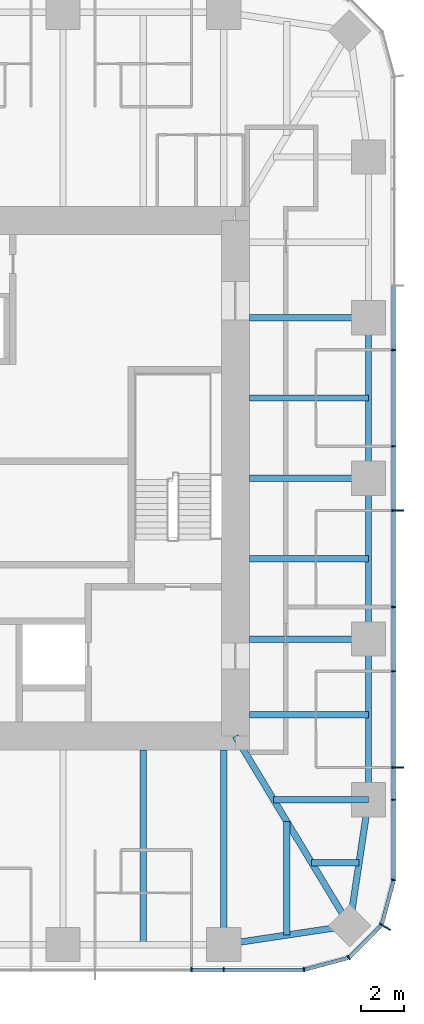
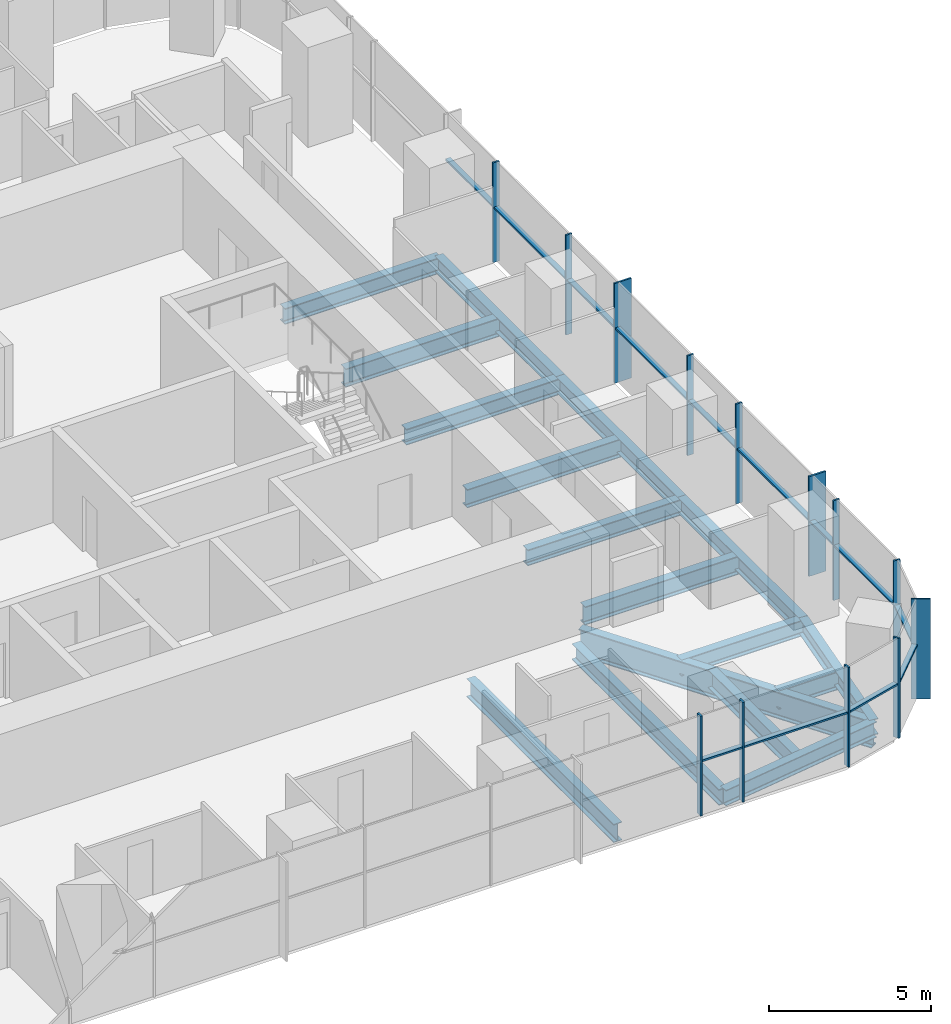
# One storey, part 4 of 13: 26 members, 17 beams, 3 elements without a shape of their own.
"""IFC4 building model written with IfcOpenShell, lengths in metres."""

from ifc_helpers import new_model, si_unit, direction, frame, origin, origin_2d, place, context, subcontext, project, spatial, rectangle, i_section, extrude, material, material_profile, profile_set, type_object, element, aggregate, save


model = new_model("IFC4")

# Units and contexts
model_context = context("Model", 3, precision=1e-05, world=origin(), true_north=direction((0.0, 1.0)))
body_context = subcontext(model_context, "Body", "Model", "MODEL_VIEW")
ifc_project = project(units=[si_unit("LENGTHUNIT", "METRE"), si_unit("AREAUNIT", "SQUARE_METRE"), si_unit("VOLUMEUNIT", "CUBIC_METRE"), si_unit("PLANEANGLEUNIT", "RADIAN"), si_unit("MASSUNIT", "GRAM", prefix="KILO")], contexts=[model_context])

# Site, building, storey
site_placement = place(None, origin())
site = spatial("IfcSite", under=ifc_project, at=site_placement, CompositionType="ELEMENT")
building_placement = place(site_placement, origin())
building = spatial("IfcBuilding", under=site, at=building_placement, Name="Khuree Lantern Residences", CompositionType="ELEMENT")
storey_placement = place(building_placement, frame((0.0, 0.0, 349.5)))
storey = spatial("IfcBuildingStorey", under=building, at=storey_placement, Name="L88", CompositionType="ELEMENT", Elevation=349.5)

# Beams
ifc_material_1 = material(Name="Steel S355", Category="steel")
ifc_material_profile_1 = material_profile(ifc_material_1, i_section(OverallWidth=0.300048828125, OverallDepth=0.68994140625, WebThickness=0.014404296875, FlangeThickness=0.027099609375, FilletRadius=0.027099609375, at=origin_2d()), Name="HE 700 A")
ifc_profile_set_1 = profile_set([ifc_material_profile_1], Name="Steel S355")
beam_type_1 = type_object("IfcBeamType", Name="B-45A SECONDARY BEAM HE 700 A", PredefinedType="BEAM", material=ifc_profile_set_1)
for number, where, z_axis, x_axis, name in (
    (1, (21.699951171875, 3.739990234375, -0.594970703125), (-1.0, 0.0, 0.0), (0.0, -1.0, 0.0), "Secondary beam E3"),
    (2, (21.699951171875, -3.739990234375, -0.594970703125), (-1.0, 0.0, 0.0), (0.0, -1.0, 0.0), "Secondary beam E4"),
    (3, (21.699951171875, -11.0, -0.594970703125), (-1.0, 0.0, 0.0), (0.0, -1.0, 0.0), "Secondary beam E5"),
):
    element("IfcBeam", number, at=place(storey_placement, frame(where, z_axis=z_axis, x_axis=x_axis)), inside=storey, type_object=beam_type_1, Name=name, PredefinedType="BEAM", context=body_context, shape_type="SweptSolid", body=[
        extrude(i_section(OverallWidth=0.300048828125, OverallDepth=0.68994140625, WebThickness=0.014404296875, FlangeThickness=0.027099609375, FilletRadius=0.027099609375, at=origin_2d()), origin(), (0.0, 0.0, 1.0), 5.550048828125),
    ])
beam_1_placement = place(storey_placement, frame((21.2607421875, -17.890625, -0.594970703125), z_axis=(-1.0, 0.0, 0.0), x_axis=(0.0, -1.0, 0.0)))
element("IfcBeam", 4, at=beam_1_placement, inside=storey, type_object=beam_type_1, Name="Secondary beam E6", PredefinedType="BEAM", context=body_context, shape_type="SweptSolid", body=[
    extrude(i_section(OverallWidth=0.300048828125, OverallDepth=0.68994140625, WebThickness=0.014404296875, FlangeThickness=0.027099609375, FilletRadius=0.027099609375, at=origin_2d()), origin(), (0.0, 0.0, 1.0), 2.207275390625),
])
beam_2_placement = place(storey_placement, frame((17.890625, -21.2607421875, -0.594970703125), z_axis=(0.0, 1.0, 0.0), x_axis=(-1.0, 0.0, 0.0)))
element("IfcBeam", 5, at=beam_2_placement, inside=storey, type_object=beam_type_1, Name="Secondary beam S1", PredefinedType="BEAM", context=body_context, shape_type="SweptSolid", body=[
    extrude(i_section(OverallWidth=0.300048828125, OverallDepth=0.68994140625, WebThickness=0.014404296875, FlangeThickness=0.027099609375, FilletRadius=0.027099609375, at=origin_2d()), origin(), (0.0, 0.0, 1.0), 5.297607421875),
])
beam_3_placement = place(storey_placement, frame((11.219970703125, -21.699951171875, -0.594970703125), z_axis=(0.0, 1.0, 0.0), x_axis=(-1.0, 0.0, 0.0)))
element("IfcBeam", 6, at=beam_3_placement, inside=storey, type_object=beam_type_1, Name="Secondary beam S2", PredefinedType="BEAM", context=body_context, shape_type="SweptSolid", body=[
    extrude(i_section(OverallWidth=0.300048828125, OverallDepth=0.68994140625, WebThickness=0.014404296875, FlangeThickness=0.027099609375, FilletRadius=0.027099609375, at=origin_2d()), origin(), (0.0, 0.0, 1.0), 9.050048828125),
])
ifc_material_profile_2 = material_profile(ifc_material_1, i_section(OverallWidth=0.300048828125, OverallDepth=0.590087890625, WebThickness=0.012939453125, FlangeThickness=0.02490234375, FilletRadius=0.027099609375, at=origin_2d()), Name="HE 600 A")
ifc_profile_set_2 = profile_set([ifc_material_profile_2], Name="Steel S355")
beam_type_2 = type_object("IfcBeamType", Name="E-45A SPANDREL BEAM HE 600 A", PredefinedType="SPANDREL", material=ifc_profile_set_2)
for number, where, z_axis, x_axis, name in (
    (7, (21.699951171875, 7.47998046875, -0.544921875), (0.0, -1.0, 0.0), (1.0, 0.0, 0.0), "Spandrel beam E3"),
    (8, (21.699951171875, 0.0, -0.544921875), (0.0, -1.0, 0.0), (1.0, 0.0, 0.0), "Spandrel beam E4"),
    (9, (21.699951171875, -7.47998046875, -0.544921875), (0.0, -1.0, 0.0), (1.0, 0.0, 0.0), "Spandrel beam E5"),
):
    element("IfcBeam", number, at=place(storey_placement, frame(where, z_axis=z_axis, x_axis=x_axis)), inside=storey, type_object=beam_type_2, Name=name, PredefinedType="SPANDREL", context=body_context, shape_type="SweptSolid", body=[
        extrude(i_section(OverallWidth=0.300048828125, OverallDepth=0.590087890625, WebThickness=0.012939453125, FlangeThickness=0.02490234375, FilletRadius=0.027099609375, at=origin_2d()), origin(), (0.0, 0.0, 1.0), 7.47998046875),
    ])
for number, where, z_axis, x_axis, name in (
    (10, (21.699951171875, -14.9599609375, -0.544921875), (-0.148251822985, -0.988949643299, 0.0), (0.988949643299, -0.148251822985, 0.0), "Spandrel beam E6"),
    (11, (20.8212890625, -20.8212890625, -0.544921875), (-0.988949643299, -0.148251822985, 0.0), (0.148251822985, -0.988949643299, 0.0), "Spandrel beam S1"),
):
    element("IfcBeam", number, at=place(storey_placement, frame(where, z_axis=z_axis, x_axis=x_axis)), inside=storey, type_object=beam_type_2, Name=name, PredefinedType="SPANDREL", context=body_context, shape_type="SweptSolid", body=[
        extrude(i_section(OverallWidth=0.300048828125, OverallDepth=0.590087890625, WebThickness=0.012939453125, FlangeThickness=0.02490234375, FilletRadius=0.027099609375, at=origin_2d()), origin(), (0.0, 0.0, 1.0), 5.9267578125),
    ])

# Curtain wall, member
ifc_material_2 = material(Name="Bronze anodised aluminium", Category="aluminium")
curtain_wall_type_1 = type_object("IfcCurtainWallType", Name="CW-T2 TOWER CORNER CURTAIN WALL", PredefinedType="USERDEFINED", material=ifc_material_2)
curtain_wall_1_placement = place(storey_placement, origin())
curtain_wall_1 = element("IfcCurtainWall", 12, at=curtain_wall_1_placement, inside=storey, type_object=curtain_wall_type_1, Name="L88 SOUTH-EAST CORNER CURTAIN WALL", ObjectType="Faceted corner curtain wall", PredefinedType="USERDEFINED")
ifc_material_profile_3 = material_profile(ifc_material_2, rectangle(XDim=0.06494140625, YDim=0.60009765625, at=origin_2d()), Name="F1 65X600")
ifc_profile_set_3 = profile_set([ifc_material_profile_3], Name="Bronze anodised aluminium")
member_type_1 = type_object("IfcMemberType", Name="F1 BRONZE FIN MULLION TOWER 65X600", PredefinedType="MULLION", material=ifc_profile_set_3)
member_1_placement = place(storey_placement, frame((22.46728515625, -20.875, 0.0), z_axis=(0.0, 0.0, 1.0), x_axis=(0.49999994149, 0.866025437565, 0.0)))
member_1 = element("IfcMember", 13, at=member_1_placement, type_object=member_type_1, Name="L88 SOUTH-EAST CORNER FIN MULLION 3", PredefinedType="MULLION", context=body_context, shape_type="SweptSolid", body=[
    extrude(rectangle(XDim=0.06494140625, YDim=0.60009765625, at=origin_2d()), origin(), (0.0, 0.0, 1.0), 3.75),
])

# Curtain wall, members
curtain_wall_type_2 = type_object("IfcCurtainWallType", Name="CW-T1 TOWER FACE CURTAIN WALL", PredefinedType="USERDEFINED", material=ifc_material_2)
curtain_wall_2_placement = place(storey_placement, origin())
curtain_wall_2 = element("IfcCurtainWall", 14, at=curtain_wall_2_placement, inside=storey, type_object=curtain_wall_type_2, Name="L88 EAST FACE CURTAIN WALL", ObjectType="Stick-built curtain wall", PredefinedType="USERDEFINED")
member_2_placement = place(storey_placement, frame((23.050048828125, -13.464111328125, 0.0), z_axis=(0.0, 0.0, 1.0), x_axis=(0.0, 1.0, 0.0)))
member_2 = element("IfcMember", 15, at=member_2_placement, type_object=member_type_1, Name="L88 EAST FACE FIN MULLION 6", PredefinedType="MULLION", context=body_context, shape_type="SweptSolid", body=[
    extrude(rectangle(XDim=0.06494140625, YDim=0.60009765625, at=origin_2d()), origin(), (0.0, 0.0, 1.0), 3.75),
])
member_3_placement = place(storey_placement, frame((23.050048828125, -1.49609375, 0.0), z_axis=(0.0, 0.0, 1.0), x_axis=(0.0, 1.0, 0.0)))
member_3 = element("IfcMember", 16, at=member_3_placement, type_object=member_type_1, Name="L88 EAST FACE FIN MULLION 9", PredefinedType="MULLION", context=body_context, shape_type="SweptSolid", body=[
    extrude(rectangle(XDim=0.06494140625, YDim=0.60009765625, at=origin_2d()), origin(), (0.0, 0.0, 1.0), 3.75),
])

# Beams
ifc_material_profile_4 = material_profile(ifc_material_1, i_section(OverallWidth=0.300048828125, OverallDepth=0.60009765625, WebThickness=0.015380859375, FlangeThickness=0.030029296875, FilletRadius=0.027099609375, at=origin_2d()), Name="HE 600 B")
ifc_profile_set_4 = profile_set([ifc_material_profile_4], Name="Steel S355")
beam_type_3 = type_object("IfcBeamType", Name="G-45 GIRDER HE 600 B", PredefinedType="BEAM", material=ifc_profile_set_4)
for number, where, z_axis, x_axis, name in (
    (17, (21.699951171875, 7.47998046875, -0.550048828125), (-1.0, 0.0, 0.0), (0.0, -1.0, 0.0), "Girder E2"),
    (18, (21.699951171875, 0.0, -0.550048828125), (-1.0, 0.0, 0.0), (0.0, -1.0, 0.0), "Girder E3"),
    (19, (21.699951171875, -7.47998046875, -0.550048828125), (-1.0, 0.0, 0.0), (0.0, -1.0, 0.0), "Girder E4"),
):
    element("IfcBeam", number, at=place(storey_placement, frame(where, z_axis=z_axis, x_axis=x_axis)), inside=storey, type_object=beam_type_3, Name=name, PredefinedType="BEAM", context=body_context, shape_type="SweptSolid", body=[
        extrude(i_section(OverallWidth=0.300048828125, OverallDepth=0.60009765625, WebThickness=0.015380859375, FlangeThickness=0.030029296875, FilletRadius=0.027099609375, at=origin_2d()), origin(), (0.0, 0.0, 1.0), 5.550048828125),
    ])
beam_4_placement = place(storey_placement, frame((21.699951171875, -14.9599609375, -0.550048828125), z_axis=(-1.0, 0.0, 0.0), x_axis=(0.0, -1.0, 0.0)))
element("IfcBeam", 20, at=beam_4_placement, inside=storey, type_object=beam_type_3, Name="Girder E5", PredefinedType="BEAM", context=body_context, shape_type="SweptSolid", body=[
    extrude(i_section(OverallWidth=0.300048828125, OverallDepth=0.60009765625, WebThickness=0.015380859375, FlangeThickness=0.030029296875, FilletRadius=0.027099609375, at=origin_2d()), origin(), (0.0, 0.0, 1.0), 4.414306640625),
])
beam_5_placement = place(storey_placement, frame((14.9599609375, -21.699951171875, -0.550048828125), z_axis=(0.0, 1.0, 0.0), x_axis=(-1.0, 0.0, 0.0)))
element("IfcBeam", 21, at=beam_5_placement, inside=storey, type_object=beam_type_3, Name="Girder S1", PredefinedType="BEAM", context=body_context, shape_type="SweptSolid", body=[
    extrude(i_section(OverallWidth=0.300048828125, OverallDepth=0.60009765625, WebThickness=0.015380859375, FlangeThickness=0.030029296875, FilletRadius=0.027099609375, at=origin_2d()), origin(), (0.0, 0.0, 1.0), 9.050048828125),
])
ifc_material_profile_5 = material_profile(ifc_material_1, i_section(OverallWidth=0.300048828125, OverallDepth=1.0, WebThickness=0.01904296875, FlangeThickness=0.035888671875, FilletRadius=0.030029296875, at=origin_2d()), Name="HE 1000 B")
ifc_profile_set_5 = profile_set([ifc_material_profile_5], Name="Steel S355")
beam_type_4 = type_object("IfcBeamType", Name="GD-45A CORNER GIRDER HE 1000 B", PredefinedType="BEAM", material=ifc_profile_set_5)
beam_6_placement = place(storey_placement, frame((20.8212890625, -20.8212890625, -0.75), z_axis=(-0.516529577604, 0.856269347495, 0.0), x_axis=(-0.856269347495, -0.516529577604, 0.0)))
element("IfcBeam", 22, at=beam_6_placement, inside=storey, type_object=beam_type_4, Name="Corner girder SE", PredefinedType="BEAM", context=body_context, shape_type="SweptSolid", body=[
    extrude(i_section(OverallWidth=0.300048828125, OverallDepth=1.0, WebThickness=0.01904296875, FlangeThickness=0.035888671875, FilletRadius=0.030029296875, at=origin_2d()), origin(), (0.0, 0.0, 1.0), 10.302001953125),
])

# Member
ifc_material_profile_6 = material_profile(ifc_material_2, rectangle(XDim=0.06494140625, YDim=0.219970703125, at=origin_2d()), Name="M1 65X220")
ifc_profile_set_6 = profile_set([ifc_material_profile_6], Name="Bronze anodised aluminium")
member_type_2 = type_object("IfcMemberType", Name="M1 BRONZE MULLION TOWER 65X220", PredefinedType="MULLION", material=ifc_profile_set_6)
member_4_placement = place(storey_placement, frame((18.695068359375, -22.86181640625, 0.0), z_axis=(0.0, 0.0, 1.0), x_axis=(0.991444870192, 0.130526125236, 0.0)))
member_4 = element("IfcMember", 23, at=member_4_placement, type_object=member_type_2, Name="L88 SOUTH-EAST CORNER MULLION 1", PredefinedType="MULLION", context=body_context, shape_type="SweptSolid", body=[
    extrude(rectangle(XDim=0.06494140625, YDim=0.219970703125, at=origin_2d()), origin(), (0.0, 0.0, 1.0), 3.75),
])

member_5_placement = place(storey_placement, frame((20.780029296875, -22.302734375, 0.0), z_axis=(0.0, 0.0, 1.0), x_axis=(0.866025437565, 0.49999994149, 0.0)))
member_5 = element("IfcMember", 24, at=member_5_placement, type_object=member_type_2, Name="L88 SOUTH-EAST CORNER MULLION 2", PredefinedType="MULLION", context=body_context, shape_type="SweptSolid", body=[
    extrude(rectangle(XDim=0.06494140625, YDim=0.219970703125, at=origin_2d()), origin(), (0.0, 0.0, 1.0), 3.75),
])

member_6_placement = place(storey_placement, frame((22.86181640625, -18.695068359375, 0.0), z_axis=(0.0, 0.0, 1.0), x_axis=(0.130526125236, 0.991444870192, 0.0)))
member_6 = element("IfcMember", 25, at=member_6_placement, type_object=member_type_2, Name="L88 EAST FACE MULLION 4", PredefinedType="MULLION", context=body_context, shape_type="SweptSolid", body=[
    extrude(rectangle(XDim=0.06494140625, YDim=0.219970703125, at=origin_2d()), origin(), (0.0, 0.0, 1.0), 3.75),
])

member_7_placement = place(storey_placement, frame((22.860107421875, -14.9599609375, 0.0), z_axis=(0.0, 0.0, 1.0), x_axis=(0.0, 1.0, 0.0)))
member_7 = element("IfcMember", 26, at=member_7_placement, type_object=member_type_2, Name="L88 EAST FACE MULLION 5", PredefinedType="MULLION", context=body_context, shape_type="SweptSolid", body=[
    extrude(rectangle(XDim=0.06494140625, YDim=0.219970703125, at=origin_2d()), origin(), (0.0, 0.0, 1.0), 3.75),
])

member_8_placement = place(storey_placement, frame((22.860107421875, -8.97607421875, 0.0), z_axis=(0.0, 0.0, 1.0), x_axis=(0.0, 1.0, 0.0)))
member_8 = element("IfcMember", 27, at=member_8_placement, type_object=member_type_2, Name="L88 EAST FACE MULLION 7", PredefinedType="MULLION", context=body_context, shape_type="SweptSolid", body=[
    extrude(rectangle(XDim=0.06494140625, YDim=0.219970703125, at=origin_2d()), origin(), (0.0, 0.0, 1.0), 3.75),
])

member_9_placement = place(storey_placement, frame((22.860107421875, -5.98388671875, 0.0), z_axis=(0.0, 0.0, 1.0), x_axis=(0.0, 1.0, 0.0)))
member_9 = element("IfcMember", 28, at=member_9_placement, type_object=member_type_2, Name="L88 EAST FACE MULLION 8", PredefinedType="MULLION", context=body_context, shape_type="SweptSolid", body=[
    extrude(rectangle(XDim=0.06494140625, YDim=0.219970703125, at=origin_2d()), origin(), (0.0, 0.0, 1.0), 3.75),
])

member_10_placement = place(storey_placement, frame((22.860107421875, 1.49609375, 0.0), z_axis=(0.0, 0.0, 1.0), x_axis=(0.0, 1.0, 0.0)))
member_10 = element("IfcMember", 29, at=member_10_placement, type_object=member_type_2, Name="L88 EAST FACE MULLION 10", PredefinedType="MULLION", context=body_context, shape_type="SweptSolid", body=[
    extrude(rectangle(XDim=0.06494140625, YDim=0.219970703125, at=origin_2d()), origin(), (0.0, 0.0, 1.0), 3.75),
])

member_11_placement = place(storey_placement, frame((22.860107421875, 5.98388671875, 0.0), z_axis=(0.0, 0.0, 1.0), x_axis=(0.0, 1.0, 0.0)))
member_11 = element("IfcMember", 30, at=member_11_placement, type_object=member_type_2, Name="L88 EAST FACE MULLION 11", PredefinedType="MULLION", context=body_context, shape_type="SweptSolid", body=[
    extrude(rectangle(XDim=0.06494140625, YDim=0.219970703125, at=origin_2d()), origin(), (0.0, 0.0, 1.0), 3.75),
])

# Curtain wall, members
curtain_wall_3_placement = place(storey_placement, origin())
curtain_wall_3 = element("IfcCurtainWall", 31, at=curtain_wall_3_placement, inside=storey, type_object=curtain_wall_type_2, Name="L88 SOUTH FACE CURTAIN WALL", ObjectType="Stick-built curtain wall", PredefinedType="USERDEFINED")
member_12_placement = place(storey_placement, frame((13.464111328125, -22.860107421875, 0.0), z_axis=(0.0, 0.0, 1.0), x_axis=(1.0, 0.0, 0.0)))
member_12 = element("IfcMember", 32, at=member_12_placement, type_object=member_type_2, Name="L88 SOUTH FACE MULLION 55", PredefinedType="MULLION", context=body_context, shape_type="SweptSolid", body=[
    extrude(rectangle(XDim=0.06494140625, YDim=0.219970703125, at=origin_2d()), origin(), (0.0, 0.0, 1.0), 3.75),
])
member_13_placement = place(storey_placement, frame((14.9599609375, -22.860107421875, 0.0), z_axis=(0.0, 0.0, 1.0), x_axis=(1.0, 0.0, 0.0)))
member_13 = element("IfcMember", 33, at=member_13_placement, type_object=member_type_2, Name="L88 SOUTH FACE MULLION 56", PredefinedType="MULLION", context=body_context, shape_type="SweptSolid", body=[
    extrude(rectangle(XDim=0.06494140625, YDim=0.219970703125, at=origin_2d()), origin(), (0.0, 0.0, 1.0), 3.75),
])

# Member
ifc_material_profile_7 = material_profile(ifc_material_2, rectangle(XDim=0.179931640625, YDim=0.06494140625, at=origin_2d()), Name="T1 180X65")
ifc_profile_set_7 = profile_set([ifc_material_profile_7], Name="Bronze anodised aluminium")
member_type_3 = type_object("IfcMemberType", Name="TRANSOM T1 TOWER 180X65", PredefinedType="USERDEFINED", material=ifc_profile_set_7)
member_14_placement = place(storey_placement, frame((18.7392578125, -22.8583984375, 2.050048828125), z_axis=(0.965941173949, 0.25876176006, 0.0), x_axis=(-0.25876176006, 0.965941173949, 0.0)))
member_14 = element("IfcMember", 34, at=member_14_placement, type_object=member_type_3, Name="L88 SOUTH-EAST CORNER TRANSOM 1.1", ObjectType="Transom", PredefinedType="USERDEFINED", context=body_context, shape_type="SweptSolid", body=[
    extrude(rectangle(XDim=0.179931640625, YDim=0.06494140625, at=origin_2d()), origin(), (0.0, 0.0, 1.0), 2.0595703125),
])

member_15_placement = place(storey_placement, frame((20.8251953125, -22.26953125, 2.050048828125), z_axis=(0.707106781187, 0.707106781187, 0.0), x_axis=(-0.707106781187, 0.707106781187, 0.0)))
member_15 = element("IfcMember", 35, at=member_15_placement, type_object=member_type_3, Name="L88 SOUTH-EAST CORNER TRANSOM 2.1", ObjectType="Transom", PredefinedType="USERDEFINED", context=body_context, shape_type="SweptSolid", body=[
    extrude(rectangle(XDim=0.179931640625, YDim=0.06494140625, at=origin_2d()), origin(), (0.0, 0.0, 1.0), 2.04248046875),
])

member_16_placement = place(storey_placement, frame((22.325439453125, -20.728759765625, 2.050048828125), z_axis=(0.25876176006, 0.965941173949, 0.0), x_axis=(-0.965941173949, 0.25876176006, 0.0)))
member_16 = element("IfcMember", 36, at=member_16_placement, type_object=member_type_3, Name="L88 SOUTH-EAST CORNER TRANSOM 3.1", ObjectType="Transom", PredefinedType="USERDEFINED", context=body_context, shape_type="SweptSolid", body=[
    extrude(rectangle(XDim=0.179931640625, YDim=0.06494140625, at=origin_2d()), origin(), (0.0, 0.0, 1.0), 2.0595703125),
])

aggregate(curtain_wall_1, [member_4, member_5, member_1, member_14, member_15, member_16])

member_17_placement = place(storey_placement, frame((22.8701171875, -18.6513671875, 2.050048828125), z_axis=(0.0, 1.0, 0.0), x_axis=(-1.0, 0.0, 0.0)))
member_17 = element("IfcMember", 37, at=member_17_placement, type_object=member_type_3, Name="L88 EAST FACE TRANSOM 4.1", ObjectType="Transom", PredefinedType="USERDEFINED", context=body_context, shape_type="SweptSolid", body=[
    extrude(rectangle(XDim=0.179931640625, YDim=0.06494140625, at=origin_2d()), origin(), (0.0, 0.0, 1.0), 3.658935546875),
])

member_18_placement = place(storey_placement, frame((22.8701171875, -14.927490234375, 2.050048828125), z_axis=(0.0, 1.0, 0.0), x_axis=(-1.0, 0.0, 0.0)))
member_18 = element("IfcMember", 38, at=member_18_placement, type_object=member_type_3, Name="L88 EAST FACE TRANSOM 5.1", ObjectType="Transom", PredefinedType="USERDEFINED", context=body_context, shape_type="SweptSolid", body=[
    extrude(rectangle(XDim=0.179931640625, YDim=0.06494140625, at=origin_2d()), origin(), (0.0, 0.0, 1.0), 1.430908203125),
])

member_19_placement = place(storey_placement, frame((22.8701171875, -13.431396484375, 2.050048828125), z_axis=(0.0, 1.0, 0.0), x_axis=(-1.0, 0.0, 0.0)))
member_19 = element("IfcMember", 39, at=member_19_placement, type_object=member_type_3, Name="L88 EAST FACE TRANSOM 6.1", ObjectType="Transom", PredefinedType="USERDEFINED", context=body_context, shape_type="SweptSolid", body=[
    extrude(rectangle(XDim=0.179931640625, YDim=0.06494140625, at=origin_2d()), origin(), (0.0, 0.0, 1.0), 4.4228515625),
])

member_20_placement = place(storey_placement, frame((22.8701171875, -8.943603515625, 2.050048828125), z_axis=(0.0, 1.0, 0.0), x_axis=(-1.0, 0.0, 0.0)))
member_20 = element("IfcMember", 40, at=member_20_placement, type_object=member_type_3, Name="L88 EAST FACE TRANSOM 7.1", ObjectType="Transom", PredefinedType="USERDEFINED", context=body_context, shape_type="SweptSolid", body=[
    extrude(rectangle(XDim=0.179931640625, YDim=0.06494140625, at=origin_2d()), origin(), (0.0, 0.0, 1.0), 2.927001953125),
])

member_21_placement = place(storey_placement, frame((22.8701171875, -5.951416015625, 2.050048828125), z_axis=(0.0, 1.0, 0.0), x_axis=(-1.0, 0.0, 0.0)))
member_21 = element("IfcMember", 41, at=member_21_placement, type_object=member_type_3, Name="L88 EAST FACE TRANSOM 8.1", ObjectType="Transom", PredefinedType="USERDEFINED", context=body_context, shape_type="SweptSolid", body=[
    extrude(rectangle(XDim=0.179931640625, YDim=0.06494140625, at=origin_2d()), origin(), (0.0, 0.0, 1.0), 4.4228515625),
])

member_22_placement = place(storey_placement, frame((22.8701171875, -1.46337890625, 2.050048828125), z_axis=(0.0, 1.0, 0.0), x_axis=(-1.0, 0.0, 0.0)))
member_22 = element("IfcMember", 42, at=member_22_placement, type_object=member_type_3, Name="L88 EAST FACE TRANSOM 9.1", ObjectType="Transom", PredefinedType="USERDEFINED", context=body_context, shape_type="SweptSolid", body=[
    extrude(rectangle(XDim=0.179931640625, YDim=0.06494140625, at=origin_2d()), origin(), (0.0, 0.0, 1.0), 2.9267578125),
])

member_23_placement = place(storey_placement, frame((22.8701171875, 1.528564453125, 2.050048828125), z_axis=(0.0, 1.0, 0.0), x_axis=(-1.0, 0.0, 0.0)))
member_23 = element("IfcMember", 43, at=member_23_placement, type_object=member_type_3, Name="L88 EAST FACE TRANSOM 10.1", ObjectType="Transom", PredefinedType="USERDEFINED", context=body_context, shape_type="SweptSolid", body=[
    extrude(rectangle(XDim=0.179931640625, YDim=0.06494140625, at=origin_2d()), origin(), (0.0, 0.0, 1.0), 4.4228515625),
])

member_24_placement = place(storey_placement, frame((22.8701171875, 6.0166015625, 2.050048828125), z_axis=(0.0, 1.0, 0.0), x_axis=(-1.0, 0.0, 0.0)))
member_24 = element("IfcMember", 44, at=member_24_placement, type_object=member_type_3, Name="L88 EAST FACE TRANSOM 11.1", ObjectType="Transom", PredefinedType="USERDEFINED", context=body_context, shape_type="SweptSolid", body=[
    extrude(rectangle(XDim=0.179931640625, YDim=0.06494140625, at=origin_2d()), origin(), (0.0, 0.0, 1.0), 2.927001953125),
])

aggregate(curtain_wall_2, [member_6, member_7, member_2, member_8, member_9, member_3, member_10, member_11, member_17, member_18, member_19, member_20, member_21, member_22, member_23, member_24])

member_25_placement = place(storey_placement, frame((13.49658203125, -22.8701171875, 2.050048828125), z_axis=(1.0, 0.0, 0.0), x_axis=(0.0, 1.0, 0.0)))
member_25 = element("IfcMember", 45, at=member_25_placement, type_object=member_type_3, Name="L88 SOUTH FACE TRANSOM 55.1", ObjectType="Transom", PredefinedType="USERDEFINED", context=body_context, shape_type="SweptSolid", body=[
    extrude(rectangle(XDim=0.179931640625, YDim=0.06494140625, at=origin_2d()), origin(), (0.0, 0.0, 1.0), 1.430908203125),
])

member_26_placement = place(storey_placement, frame((14.992431640625, -22.8701171875, 2.050048828125), z_axis=(1.0, 0.0, 0.0), x_axis=(0.0, 1.0, 0.0)))
member_26 = element("IfcMember", 46, at=member_26_placement, type_object=member_type_3, Name="L88 SOUTH FACE TRANSOM 56.1", ObjectType="Transom", PredefinedType="USERDEFINED", context=body_context, shape_type="SweptSolid", body=[
    extrude(rectangle(XDim=0.179931640625, YDim=0.06494140625, at=origin_2d()), origin(), (0.0, 0.0, 1.0), 3.658935546875),
])

aggregate(curtain_wall_3, [member_12, member_13, member_25, member_26])

save(model, "model.ifc")
